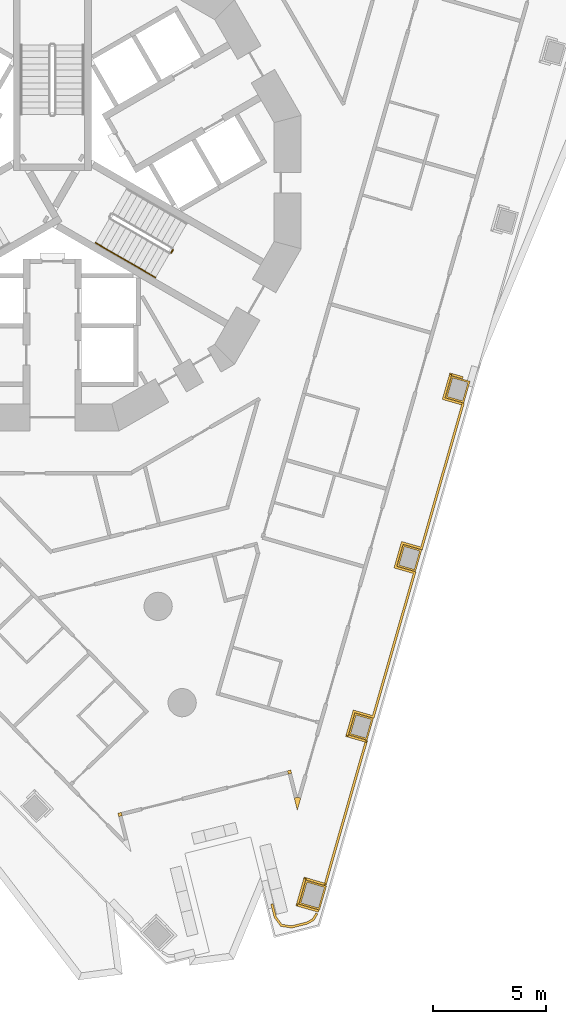
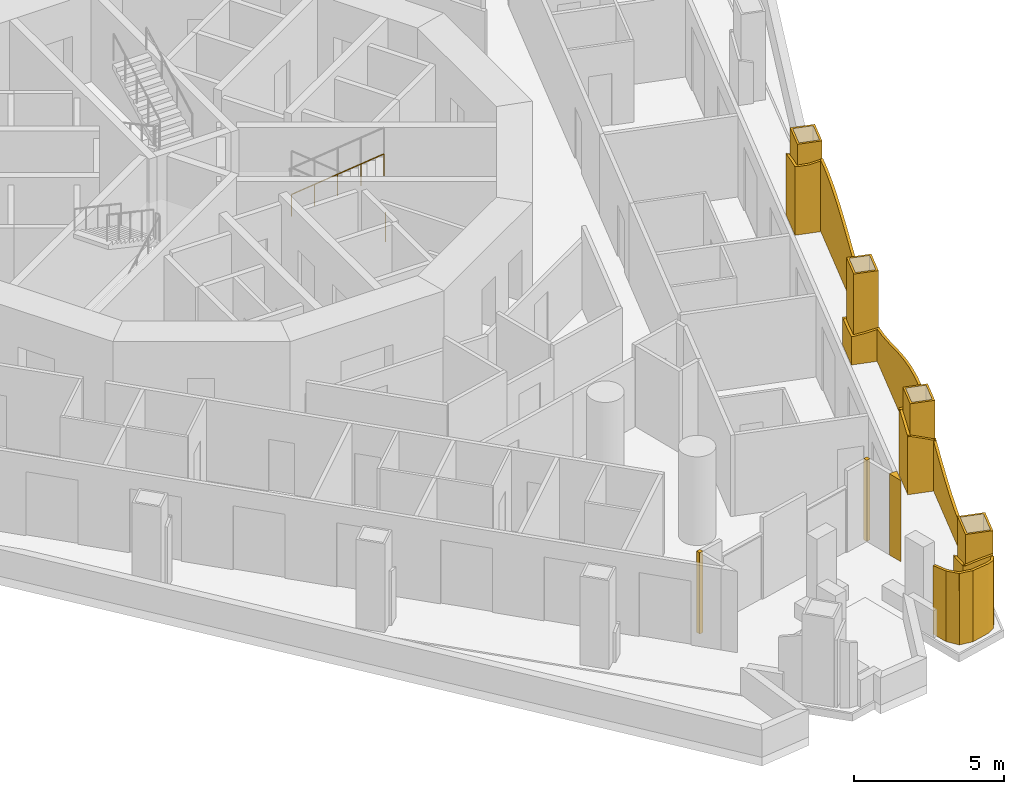
# One storey, part 14 of 19: 7 coverings, 5 railings.
"""IFC4 building model written with IfcOpenShell, lengths in metres."""

from ifc_helpers import new_model, si_unit, direction, frame, origin, origin_2d, place, context, subcontext, project, spatial, polyline, circle, outline, extrude, material, layer, layer_set, type_object, element, save


model = new_model("IFC4")

# Units and contexts
model_context = context("Model", 3, precision=1e-05, world=origin(), true_north=direction((0.0, 1.0)))
body_context = subcontext(model_context, "Body", "Model", "MODEL_VIEW")
ifc_project = project(units=[si_unit("LENGTHUNIT", "METRE"), si_unit("AREAUNIT", "SQUARE_METRE"), si_unit("VOLUMEUNIT", "CUBIC_METRE"), si_unit("PLANEANGLEUNIT", "RADIAN"), si_unit("MASSUNIT", "GRAM", prefix="KILO")], contexts=[model_context])

# Site, building, storey
site_placement = place(None, origin())
site = spatial("IfcSite", under=ifc_project, at=site_placement, CompositionType="ELEMENT")
building_placement = place(site_placement, origin())
building = spatial("IfcBuilding", under=site, at=building_placement, Name="Trine Commons Tower", CompositionType="ELEMENT")
storey_placement = place(building_placement, frame((0.0, 0.0, 87.300048828125)))
storey = spatial("IfcBuildingStorey", under=building, at=storey_placement, Name="L21", CompositionType="ELEMENT", Elevation=87.300048828125)

# Coverings
ifc_material_1 = material(Name="Aluminium-framed insulated wall panel", Category="aluminium")
ifc_layer_1 = layer(ifc_material_1, 0.14990234375)
ifc_layer_set_1 = layer_set([ifc_layer_1], Name="Aluminium-framed insulated wall panel")
covering_type_1 = type_object("IfcCoveringType", Name="Glazing corner post, aluminium", PredefinedType="CLADDING", material=ifc_layer_set_1)
covering_1_placement = place(storey_placement, origin())
element("IfcCovering", 1, at=covering_1_placement, inside=storey, type_object=covering_type_1, Name="Glazing corner post 3-09", PredefinedType="CLADDING", context=body_context, shape_type="SweptSolid", body=[
    extrude(outline(polyline([(90.701416015625, 35.24560546875), (90.836669921875, 34.70263671875), (90.990966796875, 35.24072265625), (90.8466796875, 35.281982421875), (90.701416015625, 35.24560546875)])), origin(), (0.0, 0.0, 1.0), 3.300048828125),
])
covering_2_placement = place(storey_placement, origin())
element("IfcCovering", 2, at=covering_2_placement, inside=storey, type_object=covering_type_1, Name="Glazing corner post 3-10", PredefinedType="CLADDING", context=body_context, shape_type="SweptSolid", body=[
    extrude(outline(polyline([(90.40234375, 36.44482421875), (90.438720703125, 36.29931640625), (90.584228515625, 36.33544921875), (90.5478515625, 36.481201171875), (90.40234375, 36.44482421875)])), origin(), (0.0, 0.0, 1.0), 3.300048828125),
])
covering_3_placement = place(storey_placement, origin())
element("IfcCovering", 3, at=covering_3_placement, inside=storey, type_object=covering_type_1, Name="Glazing corner post 3-11", PredefinedType="CLADDING", context=body_context, shape_type="SweptSolid", body=[
    extrude(outline(polyline([(82.938232421875, 34.42919921875), (83.083740234375, 34.465576171875), (83.047607421875, 34.611083984375), (82.90185546875, 34.57470703125), (82.938232421875, 34.42919921875)])), origin(), (0.0, 0.0, 1.0), 3.300048828125),
])
ifc_material_2 = material(Name="Limestone, honed", Category="masonry")
ifc_layer_2 = layer(ifc_material_2, 0.074951171875)
ifc_layer_set_2 = layer_set([ifc_layer_2], Name="Limestone, honed")
covering_type_2 = type_object("IfcCoveringType", Name="Limestone column cladding 75", PredefinedType="CLADDING", material=ifc_layer_set_2)
covering_4_placement = place(storey_placement, origin())
element("IfcCovering", 4, at=covering_4_placement, inside=storey, type_object=covering_type_2, Name="Limestone pier cladding 3-21", PredefinedType="CLADDING", context=body_context, shape_type="SweptSolid", body=[
    extrude(outline(polyline([(98.48046875, 53.685791015625), (97.663330078125, 53.920166015625), (97.3876953125, 52.958984375), (98.20458984375, 52.724609375), (98.48046875, 53.685791015625)]), holes=[polyline([(98.3876953125, 53.634521484375), (97.714599609375, 53.827392578125), (97.48046875, 53.01025390625), (98.1533203125, 52.8173828125), (98.3876953125, 53.634521484375)])]), origin(), (0.0, 0.0, 1.0), 3.599853515625),
])
covering_5_placement = place(storey_placement, origin())
element("IfcCovering", 5, at=covering_5_placement, inside=storey, type_object=covering_type_2, Name="Limestone pier cladding 3-22", PredefinedType="CLADDING", context=body_context, shape_type="SweptSolid", body=[
    extrude(outline(polyline([(96.342041015625, 46.228759765625), (95.52490234375, 46.462890625), (95.249267578125, 45.501708984375), (96.06640625, 45.267333984375), (96.342041015625, 46.228759765625)]), holes=[polyline([(96.249267578125, 46.17724609375), (95.576416015625, 46.3701171875), (95.342041015625, 45.552978515625), (96.014892578125, 45.360107421875), (96.249267578125, 46.17724609375)])]), origin(), (0.0, 0.0, 1.0), 3.599853515625),
])
covering_6_placement = place(storey_placement, origin())
element("IfcCovering", 6, at=covering_6_placement, inside=storey, type_object=covering_type_2, Name="Limestone pier cladding 3-23", PredefinedType="CLADDING", context=body_context, shape_type="SweptSolid", body=[
    extrude(outline(polyline([(94.203857421875, 38.771484375), (93.38671875, 39.005859375), (93.111083984375, 38.044677734375), (93.927978515625, 37.810302734375), (94.203857421875, 38.771484375)]), holes=[polyline([(94.111083984375, 38.72021484375), (93.43798828125, 38.9130859375), (93.203857421875, 38.095947265625), (93.876708984375, 37.903076171875), (94.111083984375, 38.72021484375)])]), origin(), (0.0, 0.0, 1.0), 3.599853515625),
])
covering_7_placement = place(storey_placement, origin())
element("IfcCovering", 7, at=covering_7_placement, inside=storey, type_object=covering_type_2, Name="Limestone pier cladding 3-24", PredefinedType="CLADDING", context=body_context, shape_type="SweptSolid", body=[
    extrude(outline(polyline([(92.127197265625, 31.348876953125), (91.214111328125, 31.610595703125), (90.910888671875, 30.55322265625), (91.82421875, 30.29150390625), (92.127197265625, 31.348876953125)]), holes=[polyline([(92.034423828125, 31.29736328125), (91.265380859375, 31.517822265625), (91.003662109375, 30.604736328125), (91.772705078125, 30.384033203125), (92.034423828125, 31.29736328125)])]), origin(), (0.0, 0.0, 1.0), 3.599853515625),
])

# Railings
ifc_material_3 = material(Name="Stainless steel balustrade", Category="steel")
railing_type_1 = type_object("IfcRailingType", Name="Stair guard, steel balustrade 1100", PredefinedType="GUARDRAIL", material=ifc_material_3)
railing_1_placement = place(storey_placement, frame((85.338134765625, 59.504638671875, 0.0)))
element("IfcRailing", 8, at=railing_1_placement, inside=storey, type_object=railing_type_1, Name="L21 ST3A stair guard 4", PredefinedType="GUARDRAIL", context=body_context, shape_type="SweptSolid", body=[
    extrude(circle(Radius=0.02392578125, at=origin_2d()), frame((0.0, 0.0, 1.076171875), z_axis=(-0.499816412211, -0.866131372301, 0.0), x_axis=(0.866131372301, -0.499816412211, 0.0)), (0.0, 0.0, 1.0), 0.14990234375),
    extrude(circle(Radius=0.02099609375, at=origin_2d()), origin(), (0.0, 0.0, 1.0), 1.052001953125),
    extrude(circle(Radius=0.02099609375, at=origin_2d()), frame((-0.074951171875, -0.1298828125, 0.0)), (0.0, 0.0, 1.0), 1.052001953125),
])
ifc_material_4 = material(Name="Stainless steel handrail", Category="steel")
railing_type_2 = type_object("IfcRailingType", Name="Stair handrail, steel 900", PredefinedType="HANDRAIL", material=ifc_material_4)
for number, where, name in (
    (9, (81.90234375, 59.81396484375, 1.949951171875), "L21 ST3A stair handrail 3"),
    (10, (83.236083984375, 59.0439453125, 2.77490234375), "L21 ST3A stair handrail 4"),
):
    element("IfcRailing", number, at=place(storey_placement, frame(where)), inside=storey, type_object=railing_type_2, Name=name, PredefinedType="HANDRAIL", context=body_context, shape_type="SweptSolid", body=[
        extrude(circle(Radius=0.02099609375, at=origin_2d()), frame((0.0, 0.0, 0.87890625), z_axis=(0.76340495495, -0.440743040072, 0.472184759798), x_axis=(0.499992328818, 0.866029832698, 0.0)), (0.0, 0.0, 1.0), 1.7470703125),
        extrude(circle(Radius=0.01513671875, at=origin_2d()), origin(), (0.0, 0.0, 1.0), 0.85791015625),
        extrude(circle(Radius=0.01513671875, at=origin_2d()), frame((0.6669921875, -0.385009765625, 0.41259765625)), (0.0, 0.0, 1.0), 0.85791015625),
        extrude(circle(Radius=0.01513671875, at=origin_2d()), frame((1.333740234375, -0.77001953125, 0.824951171875)), (0.0, 0.0, 1.0), 0.85791015625),
    ])
ifc_material_5 = material(Name="White powder-coated aluminium", Category="aluminium")
ifc_layer_3 = layer(ifc_material_5, 0.10009765625)
ifc_layer_set_3 = layer_set([ifc_layer_3], Name="White powder-coated aluminium")
railing_type_3 = type_object("IfcRailingType", Name="White balustrade band 100", PredefinedType="GUARDRAIL", material=ifc_layer_set_3)
railing_2_placement = place(storey_placement, origin())
element("IfcRailing", 11, at=railing_2_placement, inside=storey, type_object=railing_type_3, Name="Guard band L21 18", PredefinedType="GUARDRAIL", context=body_context, shape_type="SweptSolid", body=[
    extrude(outline(polyline([(0.0, 0.0), (0.60888671875, 0.0), (0.609130859375, 2.5068359375), (0.609130859375, 2.5068359375), (0.115966796875, 2.34423828125), (0.0, 2.302490234375), (0.0, 0.0)])), frame((98.145263671875, 53.79248046875, 0.0), z_axis=(0.275409372931, 0.961327039722, 0.0), x_axis=(-0.961327039722, 0.275409372931, 0.0)), (0.0, 0.0, 1.0), 0.10009765625),
    extrude(outline(polyline([(0.0, 0.0), (1.2216796875, 0.0), (1.2216796875, 2.787841796875), (0.61083984375, 2.65234375), (0.0, 2.474853515625), (0.0, 0.0)])), frame((97.68408203125, 54.029541015625, 0.0), z_axis=(-0.961274684281, 0.275592056055, 0.0), x_axis=(-0.275592056055, -0.961274684281, 0.0)), (0.0, 0.0, 1.0), 0.10009765625),
    extrude(outline(polyline([(0.0, 0.0), (0.98681640625, 0.0), (0.98681640625, 2.891845703125), (0.493408203125, 2.780029296875), (0.0, 2.7685546875), (0.0, 0.0)])), frame((97.2783203125, 52.97998046875, 0.0), z_axis=(-0.275636024348, -0.96126207773, 0.0), x_axis=(0.96126207773, -0.275636024348, 0.0)), (0.0, 0.0, 1.0), 0.10009765625),
    extrude(outline(polyline([(0.0, 0.0), (6.7392578125, 0.0), (6.7392578125, 1.212158203125), (5.990478515625, 1.384033203125), (5.24169921875, 1.615966796875), (4.492919921875, 1.885009765625), (3.743896484375, 2.1650390625), (2.9951171875, 2.429443359375), (2.246337890625, 2.65185546875), (1.49755859375, 2.81103515625), (0.748779296875, 2.891845703125), (0.424560546875, 2.89990234375), (0.0, 2.8857421875), (0.0, 0.0)])), frame((98.22607421875, 52.70849609375, 0.0), z_axis=(-0.961259668825, 0.275644425102, 0.0), x_axis=(-0.275644425102, -0.961259668825, 0.0)), (0.0, 0.0, 1.0), 0.10009765625),
    extrude(outline(polyline([(0.0, 0.0), (0.98681640625, 0.0), (0.986572265625, 1.108154296875), (0.493408203125, 1.15185546875), (0.0, 1.231201171875), (0.0, 0.0)])), frame((96.369140625, 46.231201171875, 0.0), z_axis=(0.275636024348, 0.96126207773, 0.0), x_axis=(-0.96126207773, 0.275636024348, 0.0)), (0.0, 0.0, 1.0), 0.10009765625),
    extrude(outline(polyline([(0.0, 0.0), (1.221923828125, 0.0), (1.221923828125, 1.1494140625), (0.61083984375, 1.1025390625), (0.425048828125, 1.099853515625), (0.0, 1.114013671875), (0.0, 0.0)])), frame((95.5458984375, 46.572021484375, 0.0), z_axis=(-0.961236919351, 0.275723747392, 0.0), x_axis=(-0.275723747392, -0.961236919351, 0.0)), (0.0, 0.0, 1.0), 0.10009765625),
    extrude(outline(polyline([(0.0, 0.0), (0.9873046875, 0.0), (0.987060546875, 1.31298828125), (0.49365234375, 1.20849609375), (0.0, 1.137451171875), (0.0, 0.0)])), frame((95.14013671875, 45.522705078125, 0.0), z_axis=(-0.27573348368, -0.961234126515, 0.0), x_axis=(0.961234126515, -0.27573348368, 0.0)), (0.0, 0.0, 1.0), 0.10009765625),
    extrude(outline(polyline([(0.0, 0.0), (6.739013671875, 0.0), (6.7392578125, 2.8505859375), (5.990478515625, 2.899658203125), (5.943359375, 2.89990234375), (5.24169921875, 2.861572265625), (4.492919921875, 2.73974609375), (3.743896484375, 2.546142578125), (2.9951171875, 2.2998046875), (2.246337890625, 2.024169921875), (1.49755859375, 1.746337890625), (0.748779296875, 1.492919921875), (0.0, 1.288818359375), (0.0, 0.0)])), frame((96.087890625, 45.251708984375, 0.0), z_axis=(-0.961256916228, 0.275654024104, 0.0), x_axis=(-0.275654024104, -0.961256916228, 0.0)), (0.0, 0.0, 1.0), 0.10009765625),
    extrude(outline(polyline([(0.0, 0.0), (0.986083984375, 0.0), (0.986083984375, 2.687255859375), (0.4931640625, 2.780029296875), (0.0, 2.8623046875), (0.0, 0.0)])), frame((94.23095703125, 38.774169921875, 0.0), z_axis=(0.275538456106, 0.961290049468, 0.0), x_axis=(-0.961290049468, 0.275538456106, 0.0)), (0.0, 0.0, 1.0), 0.10009765625),
    extrude(outline(polyline([(0.0, 0.0), (1.221435546875, 0.0), (1.221435546875, 2.351318359375), (0.610595703125, 2.549072265625), (0.0, 2.711181640625), (0.0, 0.0)])), frame((93.407470703125, 39.11474609375, 0.0), z_axis=(-0.961259501163, 0.275645009795, 0.0), x_axis=(-0.275645009795, -0.961259501163, 0.0)), (0.0, 0.0, 1.0), 0.10009765625),
    extrude(outline(polyline([(0.0, 0.0), (0.98681640625, 0.0), (0.98681640625, 2.0283203125), (0.493408203125, 2.211669921875), (0.0, 2.38623046875), (0.0, 0.0)])), frame((93.001953125, 38.065673828125, 0.0), z_axis=(-0.275636024348, -0.96126207773, 0.0), x_axis=(0.96126207773, -0.275636024348, 0.0)), (0.0, 0.0, 1.0), 0.10009765625),
    extrude(outline(polyline([(0.0, 0.0), (6.689697265625, 0.0), (6.689697265625, 1.63134765625), (5.9462890625, 1.398193359375), (5.202880859375, 1.22265625), (4.459716796875, 1.12109375), (3.938720703125, 1.099853515625), (3.716552734375, 1.103759765625), (2.97314453125, 1.172119140625), (2.22998046875, 1.319580078125), (1.486572265625, 1.531982421875), (0.743408203125, 1.7890625), (0.0, 2.06640625), (0.0, 0.0)])), frame((93.94970703125, 37.79443359375, 0.0), z_axis=(-0.961257699433, 0.275651292905, 0.0), x_axis=(-0.275651292905, -0.961257699433, 0.0)), (0.0, 0.0, 1.0), 0.10009765625),
    extrude(outline(polyline([(0.0, 0.0), (1.037109375, 0.0), (1.037109375, 1.971435546875), (0.5185546875, 1.779052734375), (0.0, 1.5966796875), (0.0, 0.0)])), frame((92.106689453125, 31.364990234375, 0.0), z_axis=(0.275684907564, 0.961248059421, 0.0), x_axis=(-0.961248059421, 0.275684907564, 0.0)), (0.0, 0.0, 1.0), 0.10009765625),
    extrude(outline(polyline([(0.0, 0.0), (1.32177734375, 0.0), (1.32177734375, 2.4140625), (0.660888671875, 2.1806640625), (0.0, 1.933349609375), (0.0, 0.0)])), frame((91.235107421875, 31.71923828125, 0.0), z_axis=(-0.961223659543, 0.275769969965, 0.0), x_axis=(-0.275769969965, -0.961223659543, 0.0)), (0.0, 0.0, 1.0), 0.10009765625),
    extrude(outline(polyline([(0.0, 0.0), (1.0361328125, 0.0), (1.0361328125, 2.686767578125), (0.51806640625, 2.5458984375), (0.0, 2.379638671875), (0.0, 0.0)])), frame((90.8017578125, 30.573974609375, 0.0), z_axis=(-0.27543679535, -0.961319183085, 0.0), x_axis=(0.961319183085, -0.27543679535, 0.0)), (0.0, 0.0, 1.0), 0.10009765625),
])
railing_3_placement = place(storey_placement, origin())
element("IfcRailing", 12, at=railing_3_placement, inside=storey, type_object=railing_type_3, Name="Guard band L21 19", PredefinedType="GUARDRAIL", context=body_context, shape_type="SweptSolid", body=[
    extrude(outline(polyline([(0.0, 0.0), (0.33203125, 0.0), (0.332275390625, 2.7744140625), (0.0, 2.703369140625), (0.0, 0.0)])), frame((91.746826171875, 30.111572265625, 0.0), z_axis=(-0.857038606144, 0.515252198034, 0.0), x_axis=(-0.515252198034, -0.857038606144, 0.0)), (0.0, 0.0, 1.0), 0.10009765625),
    extrude(outline(polyline([(0.0, 0.0), (0.33251953125, 0.0), (0.33251953125, 2.826171875), (0.0, 2.768798828125), (0.0, 0.0)])), frame((91.57666015625, 29.828125, 0.0), z_axis=(-0.484707326012, 0.87467640194, 0.0), x_axis=(-0.87467640194, -0.484707326012, 0.0)), (0.0, 0.0, 1.0), 0.10009765625),
    extrude(outline(polyline([(0.0, 0.0), (0.720458984375, 0.0), (0.72021484375, 2.894287109375), (0.0, 2.823974609375), (0.0, 0.0)])), frame((91.28759765625, 29.66748046875, 0.0), z_axis=(-0.241977390218, 0.970281888228, 0.0), x_axis=(-0.970281888228, -0.241977390218, 0.0)), (0.0, 0.0, 1.0), 0.10009765625),
    extrude(outline(polyline([(0.0, 0.0), (0.491455078125, 0.0), (0.49169921875, 2.89697265625), (0.292236328125, 2.89990234375), (0.0, 2.893310546875), (0.0, 0.0)])), frame((90.590087890625, 29.493408203125, 0.0), z_axis=(0.147538780828, 0.989056271479, 0.0), x_axis=(-0.989056271479, 0.147538780828, 0.0)), (0.0, 0.0, 1.0), 0.10009765625),
    extrude(outline(polyline([(0.0, 0.0), (0.491943359375, 0.0), (0.491943359375, 2.8671875), (0.0, 2.89794921875), (0.0, 0.0)])), frame((90.10546875, 29.5654296875, 0.0), z_axis=(0.803618740359, 0.595144453175, 0.0), x_axis=(-0.595144453175, 0.803618740359, 0.0)), (0.0, 0.0, 1.0), 0.10009765625),
    extrude(outline(polyline([(0.0, 0.0), (0.6103515625, 0.0), (0.610595703125, 2.7802734375), (0.0, 2.869384765625), (0.0, 0.0)])), frame((89.813720703125, 29.958984375, 0.0), z_axis=(0.970283495352, 0.241970945873, 0.0), x_axis=(-0.241970945873, 0.970283495352, 0.0)), (0.0, 0.0, 1.0), 0.10009765625),
])

save(model, "model.ifc")
